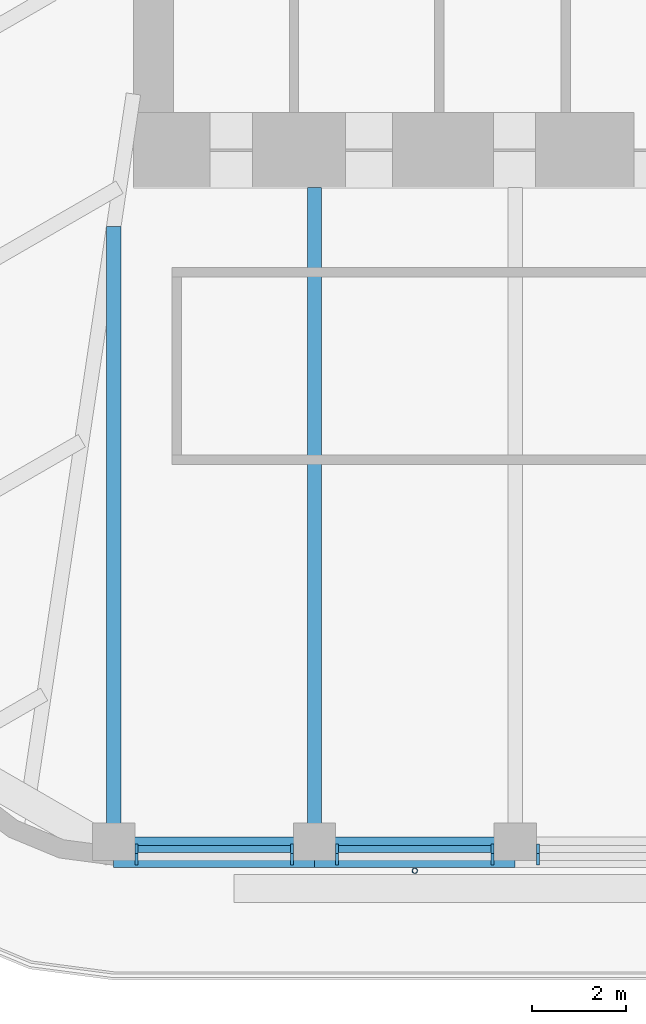
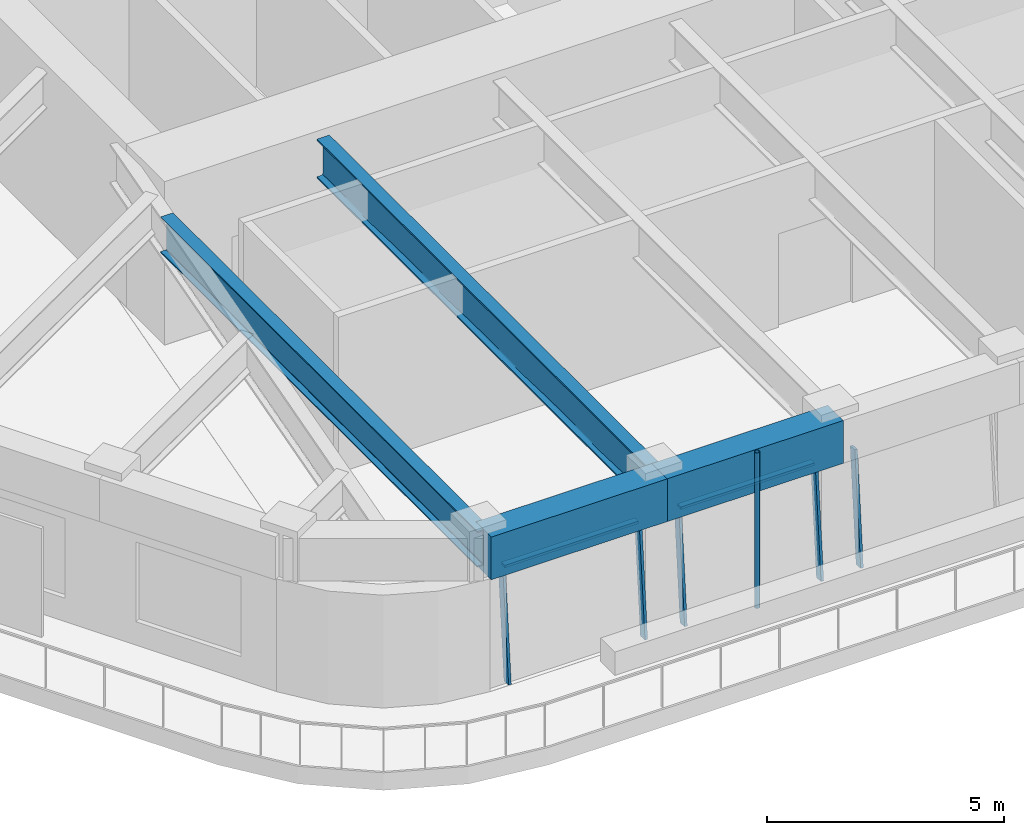
# One storey, part 2 of 19: 8 members, 4 beams, 3 elements without a shape of their own.
"""IFC4 building model written with IfcOpenShell, lengths in metres."""

from ifc_helpers import new_model, si_unit, direction, frame, origin, origin_2d, place, context, subcontext, project, spatial, rectangle, hollow_circle, i_section, extrude, material, material_profile, profile_set, type_object, element, aggregate, save


model = new_model("IFC4")

# Units and contexts
model_context = context("Model", 3, precision=1e-05, world=origin(), true_north=direction((0.0, 1.0)))
body_context = subcontext(model_context, "Body", "Model", "MODEL_VIEW")
ifc_project = project(units=[si_unit("LENGTHUNIT", "METRE"), si_unit("AREAUNIT", "SQUARE_METRE"), si_unit("VOLUMEUNIT", "CUBIC_METRE"), si_unit("PLANEANGLEUNIT", "RADIAN"), si_unit("MASSUNIT", "GRAM", prefix="KILO")], contexts=[model_context])

# Site, building, storey
site_placement = place(None, origin())
site = spatial("IfcSite", under=ifc_project, at=site_placement, CompositionType="ELEMENT")
building_placement = place(site_placement, origin())
building = spatial("IfcBuilding", under=site, at=building_placement, Name="Tarfa Lantern Tower", CompositionType="ELEMENT")
storey_placement = place(building_placement, frame((0.0, 0.0, 361.89990234375)))
storey = spatial("IfcBuildingStorey", under=building, at=storey_placement, Name="L82", CompositionType="ELEMENT", Elevation=361.89990234375)

# Curtain wall, members
ifc_material_1 = material(Name="Aluminium framed curtain wall", Category="aluminium")
curtain_wall_type = type_object("IfcCurtainWallType", Name="CW4 CANTED GLAZING EXECUTIVE ZONE 2900", PredefinedType="USERDEFINED", material=ifc_material_1)
curtain_wall_1_placement = place(storey_placement, origin())
curtain_wall_1 = element("IfcCurtainWall", 1, at=curtain_wall_1_placement, inside=storey, type_object=curtain_wall_type, Name="CW4 S L82", ObjectType="CURTAIN WALL", PredefinedType="USERDEFINED")
ifc_material_2 = material(Name="Aluminium mullion", Category="aluminium")
ifc_material_profile_1 = material_profile(ifc_material_2, rectangle(XDim=0.06494140625, YDim=0.199951171875, at=origin_2d()), Name="AL MULLION 65x200")
ifc_profile_set_1 = profile_set([ifc_material_profile_1], Name="Aluminium mullion")
member_type_1 = type_object("IfcMemberType", Name="CWM1 MULLION 65x200", PredefinedType="MULLION", material=ifc_profile_set_1)
member_1_placement = place(storey_placement, frame((-12.363525390625, -26.64990234375, 0.0), z_axis=(0.0, 0.085884035992, 0.996305140186), x_axis=(-1.0, 0.0, 0.0)))
member_1 = element("IfcMember", 2, at=member_1_placement, type_object=member_type_1, Name="CW4 mullion 1", PredefinedType="MULLION", context=body_context, shape_type="SweptSolid", body=[
    extrude(rectangle(XDim=0.06494140625, YDim=0.199951171875, at=origin_2d()), origin(), (0.0, 0.0, 1.0), 2.910888671875),
])
member_2_placement = place(storey_placement, frame((-9.046630859375, -26.64990234375, 0.0), z_axis=(0.0, 0.085884035992, 0.996305140186), x_axis=(-1.0, 0.0, 0.0)))
member_2 = element("IfcMember", 3, at=member_2_placement, type_object=member_type_1, Name="CW4 mullion 2", PredefinedType="MULLION", context=body_context, shape_type="SweptSolid", body=[
    extrude(rectangle(XDim=0.06494140625, YDim=0.199951171875, at=origin_2d()), origin(), (0.0, 0.0, 1.0), 2.910888671875),
])

curtain_wall_2_placement = place(storey_placement, origin())
curtain_wall_2 = element("IfcCurtainWall", 4, at=curtain_wall_2_placement, inside=storey, type_object=curtain_wall_type, Name="CW4 S L82", ObjectType="CURTAIN WALL", PredefinedType="USERDEFINED")
member_3_placement = place(storey_placement, frame((-8.08154296875, -26.64990234375, 0.0), z_axis=(0.0, 0.085884035992, 0.996305140186), x_axis=(-1.0, 0.0, 0.0)))
member_3 = element("IfcMember", 5, at=member_3_placement, type_object=member_type_1, Name="CW4 mullion 1", PredefinedType="MULLION", context=body_context, shape_type="SweptSolid", body=[
    extrude(rectangle(XDim=0.06494140625, YDim=0.199951171875, at=origin_2d()), origin(), (0.0, 0.0, 1.0), 2.910888671875),
])
member_4_placement = place(storey_placement, frame((-4.764404296875, -26.64990234375, 0.0), z_axis=(0.0, 0.085884035992, 0.996305140186), x_axis=(-1.0, 0.0, 0.0)))
member_4 = element("IfcMember", 6, at=member_4_placement, type_object=member_type_1, Name="CW4 mullion 2", PredefinedType="MULLION", context=body_context, shape_type="SweptSolid", body=[
    extrude(rectangle(XDim=0.06494140625, YDim=0.199951171875, at=origin_2d()), origin(), (0.0, 0.0, 1.0), 2.910888671875),
])

# Curtain wall, member
curtain_wall_3_placement = place(storey_placement, origin())
curtain_wall_3 = element("IfcCurtainWall", 7, at=curtain_wall_3_placement, inside=storey, type_object=curtain_wall_type, Name="CW4 S L82", ObjectType="CURTAIN WALL", PredefinedType="USERDEFINED")
member_5_placement = place(storey_placement, frame((-3.799560546875, -26.64990234375, 0.0), z_axis=(0.0, 0.085884035992, 0.996305140186), x_axis=(-1.0, 0.0, 0.0)))
member_5 = element("IfcMember", 8, at=member_5_placement, type_object=member_type_1, Name="CW4 mullion 1", PredefinedType="MULLION", context=body_context, shape_type="SweptSolid", body=[
    extrude(rectangle(XDim=0.06494140625, YDim=0.199951171875, at=origin_2d()), origin(), (0.0, 0.0, 1.0), 2.910888671875),
])
aggregate(curtain_wall_3, [member_5])

# Member
ifc_material_3 = material(Name="Aluminium transom", Category="aluminium")
ifc_material_profile_2 = material_profile(ifc_material_3, rectangle(XDim=0.14990234375, YDim=0.06494140625, at=origin_2d()), Name="AL TRANSOM 150x65")
ifc_profile_set_2 = profile_set([ifc_material_profile_2], Name="Aluminium transom")
member_type_2 = type_object("IfcMemberType", Name="CWT1 TRANSOM 150x65", PredefinedType="USERDEFINED", material=ifc_profile_set_2)
member_6_placement = place(storey_placement, frame((-12.3310546875, -26.40283203125, 2.86767578125), z_axis=(1.0, 0.0, 0.0), x_axis=(0.0, 1.0, 0.0)))
member_6 = element("IfcMember", 9, at=member_6_placement, type_object=member_type_2, Name="CW4 transom 1.2", ObjectType="TRANSOM", PredefinedType="USERDEFINED", context=body_context, shape_type="SweptSolid", body=[
    extrude(rectangle(XDim=0.14990234375, YDim=0.06494140625, at=origin_2d()), origin(), (0.0, 0.0, 1.0), 3.251953125),
])

aggregate(curtain_wall_1, [member_1, member_2, member_6])

member_7_placement = place(storey_placement, frame((-8.049072265625, -26.40283203125, 2.86767578125), z_axis=(1.0, 0.0, 0.0), x_axis=(0.0, 1.0, 0.0)))
member_7 = element("IfcMember", 10, at=member_7_placement, type_object=member_type_2, Name="CW4 transom 1.2", ObjectType="TRANSOM", PredefinedType="USERDEFINED", context=body_context, shape_type="SweptSolid", body=[
    extrude(rectangle(XDim=0.14990234375, YDim=0.06494140625, at=origin_2d()), origin(), (0.0, 0.0, 1.0), 3.251953125),
])

aggregate(curtain_wall_2, [member_3, member_4, member_7])

# Beams
ifc_material_4 = material(Name="Concrete C80/95", Category="concrete")
ifc_material_profile_3 = material_profile(ifc_material_4, rectangle(XDim=0.64990234375, YDim=1.10009765625, at=origin_2d()), Name="RC 650x1100")
ifc_profile_set_3 = profile_set([ifc_material_profile_3], Name="Concrete C80/95")
beam_type_1 = type_object("IfcBeamType", Name="EB4 RC 650x1100", PredefinedType="SPANDREL", material=ifc_profile_set_3)
for number, where, z_axis, x_axis, name in (
    (11, (-12.845947265625, -26.469970703125, 3.4501953125), (1.0, 0.0, 0.0), (0.0, 1.0, 0.0), "Edge beam S0"),
    (12, (-8.56396484375, -26.469970703125, 3.4501953125), (1.0, 0.0, 0.0), (0.0, 1.0, 0.0), "Edge beam S1"),
):
    element("IfcBeam", number, at=place(storey_placement, frame(where, z_axis=z_axis, x_axis=x_axis)), inside=storey, type_object=beam_type_1, Name=name, PredefinedType="SPANDREL", context=body_context, shape_type="SweptSolid", body=[
        extrude(rectangle(XDim=0.64990234375, YDim=1.10009765625, at=origin_2d()), origin(), (0.0, 0.0, 1.0), 4.281982421875),
    ])

# Member
ifc_material_5 = material(Name="Steel S355", Category="steel")
ifc_material_profile_4 = material_profile(ifc_material_5, hollow_circle(Radius=0.05712890625, WallThickness=0.00634765625, at=origin_2d()), Name="CHS114.3x6.3")
ifc_profile_set_4 = profile_set([ifc_material_profile_4], Name="Steel S355")
member_type_3 = type_object("IfcMemberType", Name="TR1 GREEN WALL TRELLIS CHS114.3x6.3", PredefinedType="USERDEFINED", material=ifc_profile_set_4)
member_8_placement = place(storey_placement, frame((-6.423095703125, -26.8701171875, 0.0), z_axis=(0.0, 0.0, 1.0), x_axis=(1.0, 0.0, 0.0)))
element("IfcMember", 13, at=member_8_placement, inside=storey, type_object=member_type_3, Name="Trellis post S 1", ObjectType="TRELLIS", PredefinedType="USERDEFINED", context=body_context, shape_type="SweptSolid", body=[
    extrude(hollow_circle(Radius=0.05712890625, WallThickness=0.00634765625, at=origin_2d()), origin(), (0.0, 0.0, 1.0), 4.0),
])

# Beams
ifc_material_6 = material(Name="Steel S460M", Category="steel")
ifc_material_profile_5 = material_profile(ifc_material_6, i_section(OverallWidth=0.302001953125, OverallDepth=1.008056640625, WebThickness=0.02099609375, FlangeThickness=0.0400390625, FilletRadius=0.030029296875, at=origin_2d()), Name="UB1016x305x349")
ifc_profile_set_5 = profile_set([ifc_material_profile_5], Name="Steel S460M")
beam_type_2 = type_object("IfcBeamType", Name="UB1016x305x349", PredefinedType="BEAM", material=ifc_profile_set_5)
beam_1_placement = place(storey_placement, frame((-8.56396484375, -26.469970703125, 3.49609375), z_axis=(0.0, 1.0, 0.0), x_axis=(-1.0, 0.0, 0.0)))
element("IfcBeam", 14, at=beam_1_placement, inside=storey, type_object=beam_type_2, Name="Floor beam S1", PredefinedType="BEAM", context=body_context, shape_type="SweptSolid", body=[
    extrude(i_section(OverallWidth=0.302001953125, OverallDepth=1.008056640625, WebThickness=0.02099609375, FlangeThickness=0.0400390625, FilletRadius=0.030029296875, at=origin_2d()), origin(), (0.0, 0.0, 1.0), 14.169921875),
])
ifc_material_profile_6 = material_profile(ifc_material_6, i_section(OverallWidth=0.305419921875, OverallDepth=0.91845703125, WebThickness=0.017333984375, FlangeThickness=0.02783203125, FilletRadius=0.01904296875, at=origin_2d()), Name="UB914x305x253")
ifc_profile_set_6 = profile_set([ifc_material_profile_6], Name="Steel S460M")
beam_type_3 = type_object("IfcBeamType", Name="UB914x305x253", PredefinedType="BEAM", material=ifc_profile_set_6)
beam_2_placement = place(storey_placement, frame((-12.845947265625, -26.469970703125, 3.541015625), z_axis=(0.0, 1.0, 0.0), x_axis=(-1.0, 0.0, 0.0)))
element("IfcBeam", 15, at=beam_2_placement, inside=storey, type_object=beam_type_3, Name="Floor beam S0", PredefinedType="BEAM", context=body_context, shape_type="SweptSolid", body=[
    extrude(i_section(OverallWidth=0.305419921875, OverallDepth=0.91845703125, WebThickness=0.017333984375, FlangeThickness=0.02783203125, FilletRadius=0.01904296875, at=origin_2d()), origin(), (0.0, 0.0, 1.0), 13.33935546875),
])

save(model, "model.ifc")
